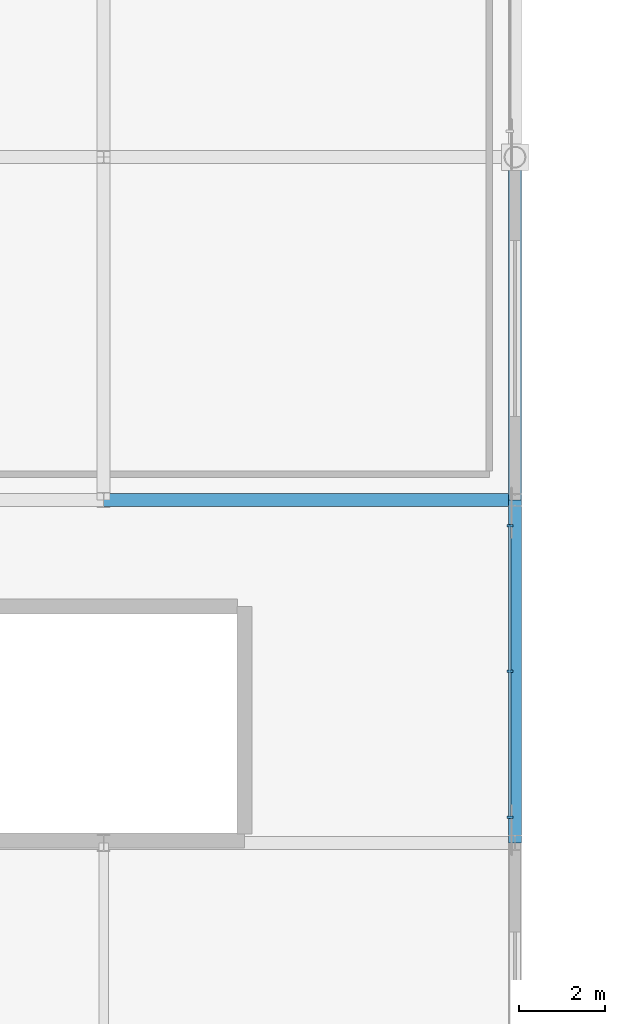
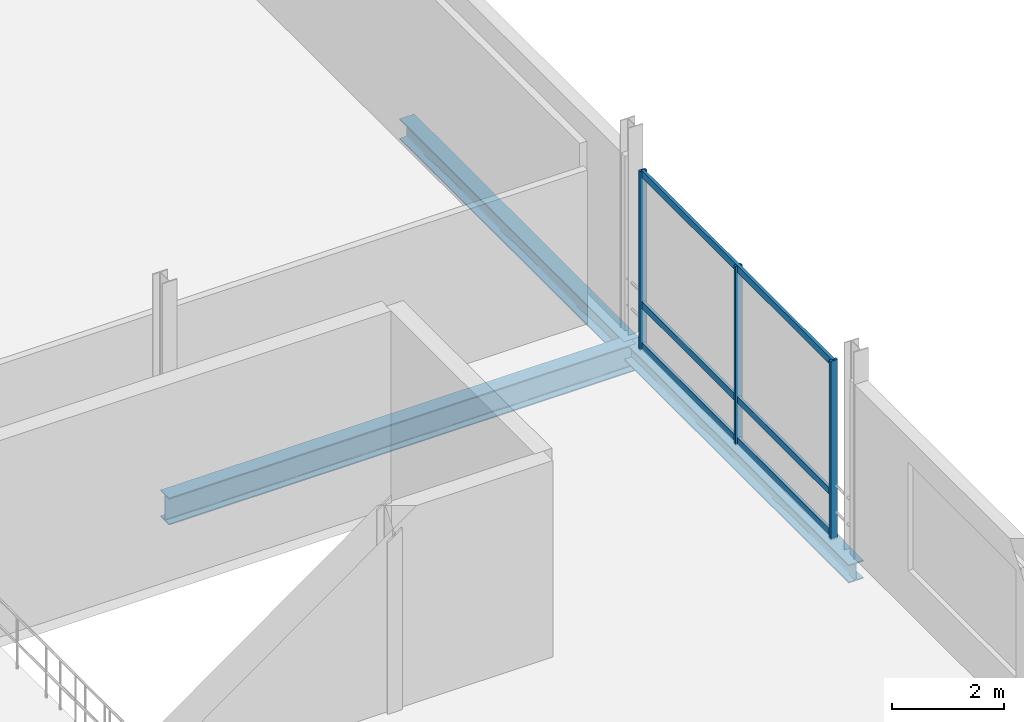
# One storey, part 24 of 59: 6 members, 3 beams, 1 element without a shape of its own.
"""IFC4 building model written with IfcOpenShell, lengths in metres."""

from ifc_helpers import new_model, si_unit, direction, frame, origin, origin_2d, place, context, subcontext, project, spatial, rectangle, i_section, extrude, material, material_profile, profile_set, type_object, element, aggregate, save


model = new_model("IFC4")

# Units and contexts
model_context = context("Model", 3, precision=1e-05, world=origin(), true_north=direction((0.0, 1.0)))
body_context = subcontext(model_context, "Body", "Model", "MODEL_VIEW")
ifc_project = project(units=[si_unit("LENGTHUNIT", "METRE"), si_unit("AREAUNIT", "SQUARE_METRE"), si_unit("VOLUMEUNIT", "CUBIC_METRE"), si_unit("PLANEANGLEUNIT", "RADIAN"), si_unit("MASSUNIT", "GRAM", prefix="KILO")], contexts=[model_context])

# Site, building, storey
site_placement = place(None, origin())
site = spatial("IfcSite", under=ifc_project, at=site_placement, CompositionType="ELEMENT")
building_placement = place(site_placement, origin())
building = spatial("IfcBuilding", under=site, at=building_placement, Name="Danafjord Basin Convention Centre", CompositionType="ELEMENT")
storey_placement = place(building_placement, frame((0.0, 0.0, 15.89990234375)))
storey = spatial("IfcBuildingStorey", under=building, at=storey_placement, Name="L03", CompositionType="ELEMENT", Elevation=15.89990234375)

# Beams
ifc_material_1 = material(Name="Steel S355", Category="steel")
ifc_material_profile_1 = material_profile(ifc_material_1, i_section(OverallWidth=0.300048828125, OverallDepth=0.590087890625, WebThickness=0.012939453125, FlangeThickness=0.02490234375, FilletRadius=0.027099609375, at=origin_2d()), Name="HEA 600")
ifc_profile_set_1 = profile_set([ifc_material_profile_1], Name="Steel S355")
beam_type_1 = type_object("IfcBeamType", Name="BEAM-BM-HEA600", PredefinedType="BEAM", material=ifc_profile_set_1)
beam_1_placement = place(storey_placement, frame((105.60009765625, 24.0, -0.52490234375), z_axis=(1.0, 0.0, 0.0), x_axis=(0.0, 1.0, 0.0)))
element("IfcBeam", 1, at=beam_1_placement, inside=storey, type_object=beam_type_1, Name="L03 girder BM-HEA600", PredefinedType="BEAM", context=body_context, shape_type="SweptSolid", body=[
    extrude(i_section(OverallWidth=0.300048828125, OverallDepth=0.590087890625, WebThickness=0.012939453125, FlangeThickness=0.02490234375, FilletRadius=0.027099609375, at=origin_2d()), origin(), (0.0, 0.0, 1.0), 9.599853515625),
])
ifc_material_profile_2 = material_profile(ifc_material_1, i_section(OverallWidth=0.300048828125, OverallDepth=0.39990234375, WebThickness=0.013427734375, FlangeThickness=0.02392578125, FilletRadius=0.027099609375, at=origin_2d()), Name="HEB 400")
ifc_profile_set_2 = profile_set([ifc_material_profile_2], Name="Steel S355")
beam_type_2 = type_object("IfcBeamType", Name="BEAM-SP-HEB400", PredefinedType="SPANDREL", material=ifc_profile_set_2)
beam_2_placement = place(storey_placement, frame((115.199951171875, 16.0, -0.429931640625), z_axis=(0.0, 1.0, 0.0), x_axis=(-1.0, 0.0, 0.0)))
element("IfcBeam", 2, at=beam_2_placement, inside=storey, type_object=beam_type_2, Name="L03 transverse girder SP-HEB400", PredefinedType="SPANDREL", context=body_context, shape_type="SweptSolid", body=[
    extrude(i_section(OverallWidth=0.300048828125, OverallDepth=0.39990234375, WebThickness=0.013427734375, FlangeThickness=0.02392578125, FilletRadius=0.027099609375, at=origin_2d()), origin(), (0.0, 0.0, 1.0), 8.0),
])
ifc_material_profile_3 = material_profile(ifc_material_1, i_section(OverallWidth=0.300048828125, OverallDepth=0.449951171875, WebThickness=0.013916015625, FlangeThickness=0.02587890625, FilletRadius=0.027099609375, at=origin_2d()), Name="HEB 450")
ifc_profile_set_3 = profile_set([ifc_material_profile_3], Name="Steel S355")
beam_type_3 = type_object("IfcBeamType", Name="BEAM-SP-HEB450", PredefinedType="SPANDREL", material=ifc_profile_set_3)
beam_3_placement = place(storey_placement, frame((115.199951171875, 24.0, -0.454833984375), z_axis=(0.0, 1.0, 0.0), x_axis=(-1.0, 0.0, 0.0)))
element("IfcBeam", 3, at=beam_3_placement, inside=storey, type_object=beam_type_3, Name="L03 transverse girder SP-HEB450", PredefinedType="SPANDREL", context=body_context, shape_type="SweptSolid", body=[
    extrude(i_section(OverallWidth=0.300048828125, OverallDepth=0.449951171875, WebThickness=0.013916015625, FlangeThickness=0.02587890625, FilletRadius=0.027099609375, at=origin_2d()), origin(), (0.0, 0.0, 1.0), 8.0),
])

# Curtain wall, members
ifc_material_2 = material(Name="Anodised aluminium and triple glazing", Category="aluminium")
curtain_wall_type = type_object("IfcCurtainWallType", Name="CW-CW-TERR", PredefinedType="NOTDEFINED", material=ifc_material_2)
curtain_wall_placement = place(storey_placement, origin())
curtain_wall = element("IfcCurtainWall", 4, at=curtain_wall_placement, inside=storey, type_object=curtain_wall_type, Name="L03 CW-TERR unitised curtain wall bay 85", PredefinedType="NOTDEFINED")
ifc_material_3 = material(Name="Anodised aluminium EN AW-6060", Category="aluminium")
ifc_material_profile_4 = material_profile(ifc_material_3, rectangle(XDim=0.06005859375, YDim=0.139892578125, at=origin_2d()), Name="MULL 60x140")
ifc_profile_set_4 = profile_set([ifc_material_profile_4], Name="Anodised aluminium EN AW-6060")
member_type_1 = type_object("IfcMemberType", Name="MEM-ML-140", PredefinedType="MULLION", material=ifc_profile_set_4)
member_1_placement = place(storey_placement, frame((115.080078125, 16.60009765625, -0.02490234375), z_axis=(0.0, 0.0, 1.0), x_axis=(0.0, 1.0, 0.0)))
member_1 = element("IfcMember", 5, at=member_1_placement, type_object=member_type_1, Name="CW-L03-085 mullion 1", PredefinedType="MULLION", context=body_context, shape_type="SweptSolid", body=[
    extrude(rectangle(XDim=0.06005859375, YDim=0.139892578125, at=origin_2d()), origin(), (0.0, 0.0, 1.0), 3.888916015625),
])
member_2_placement = place(storey_placement, frame((115.080078125, 20.0, -0.02490234375), z_axis=(0.0, 0.0, 1.0), x_axis=(0.0, 1.0, 0.0)))
member_2 = element("IfcMember", 6, at=member_2_placement, type_object=member_type_1, Name="CW-L03-085 mullion 2", PredefinedType="MULLION", context=body_context, shape_type="SweptSolid", body=[
    extrude(rectangle(XDim=0.06005859375, YDim=0.139892578125, at=origin_2d()), origin(), (0.0, 0.0, 1.0), 3.888916015625),
])
member_3_placement = place(storey_placement, frame((115.080078125, 23.39990234375, -0.02490234375), z_axis=(0.0, 0.0, 1.0), x_axis=(0.0, 1.0, 0.0)))
member_3 = element("IfcMember", 7, at=member_3_placement, type_object=member_type_1, Name="CW-L03-085 mullion 3", PredefinedType="MULLION", context=body_context, shape_type="SweptSolid", body=[
    extrude(rectangle(XDim=0.06005859375, YDim=0.139892578125, at=origin_2d()), origin(), (0.0, 0.0, 1.0), 3.888916015625),
])
ifc_material_profile_5 = material_profile(ifc_material_3, rectangle(XDim=0.06005859375, YDim=0.14990234375, at=origin_2d()), Name="TRAN 60x150")
ifc_profile_set_5 = profile_set([ifc_material_profile_5], Name="Anodised aluminium EN AW-6060")
member_type_2 = type_object("IfcMemberType", Name="MEM-TR-150", PredefinedType="USERDEFINED", material=ifc_profile_set_5)
member_4_placement = place(storey_placement, frame((115.080078125, 16.60009765625, 0.06005859375), z_axis=(0.0, 1.0, 0.0), x_axis=(-1.0, 0.0, 0.0)))
member_4 = element("IfcMember", 8, at=member_4_placement, type_object=member_type_2, Name="CW-L03-085 transom 1", ObjectType="TRANSOM", PredefinedType="USERDEFINED", context=body_context, shape_type="SweptSolid", body=[
    extrude(rectangle(XDim=0.06005859375, YDim=0.14990234375, at=origin_2d()), origin(), (0.0, 0.0, 1.0), 6.7998046875),
])
member_5_placement = place(storey_placement, frame((115.080078125, 16.60009765625, 0.9501953125), z_axis=(0.0, 1.0, 0.0), x_axis=(-1.0, 0.0, 0.0)))
member_5 = element("IfcMember", 9, at=member_5_placement, type_object=member_type_2, Name="CW-L03-085 transom 2", ObjectType="TRANSOM", PredefinedType="USERDEFINED", context=body_context, shape_type="SweptSolid", body=[
    extrude(rectangle(XDim=0.06005859375, YDim=0.14990234375, at=origin_2d()), origin(), (0.0, 0.0, 1.0), 6.7998046875),
])
member_6_placement = place(storey_placement, frame((115.080078125, 16.60009765625, 3.794189453125), z_axis=(0.0, 1.0, 0.0), x_axis=(-1.0, 0.0, 0.0)))
member_6 = element("IfcMember", 10, at=member_6_placement, type_object=member_type_2, Name="CW-L03-085 transom 3", ObjectType="TRANSOM", PredefinedType="USERDEFINED", context=body_context, shape_type="SweptSolid", body=[
    extrude(rectangle(XDim=0.06005859375, YDim=0.14990234375, at=origin_2d()), origin(), (0.0, 0.0, 1.0), 6.7998046875),
])
aggregate(curtain_wall, [member_1, member_2, member_3, member_4, member_5, member_6])

save(model, "model.ifc")
